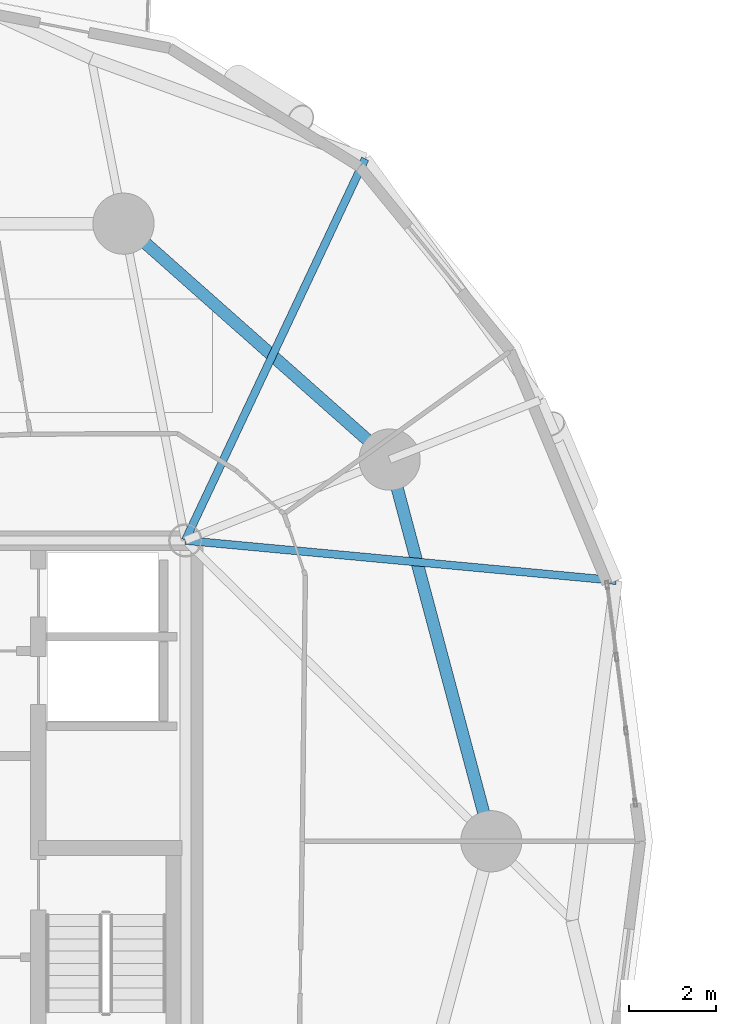
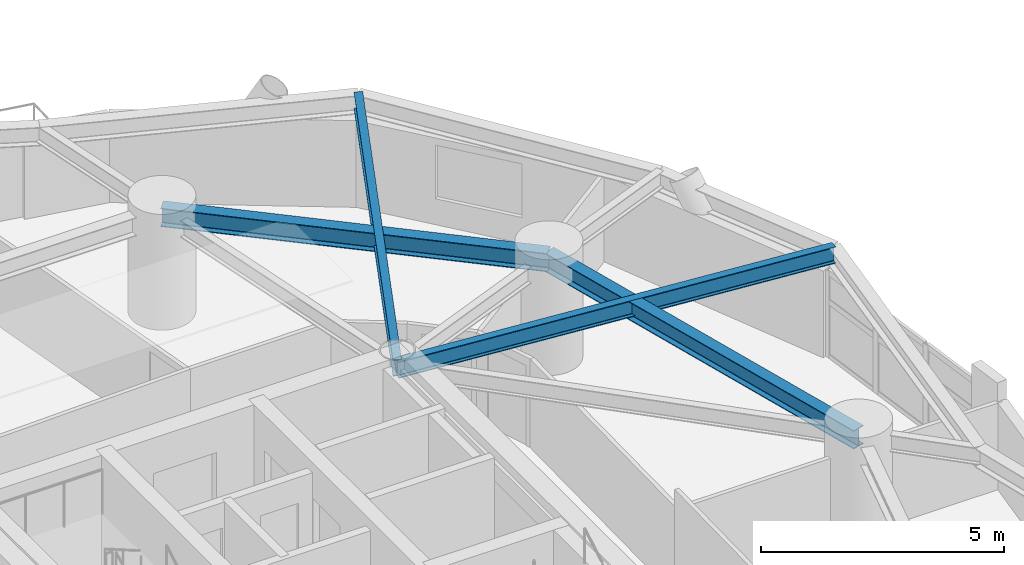
# One storey, part 3 of 17: 4 beams.
"""IFC4 building model written with IfcOpenShell, lengths in metres."""

import ifcopenshell
import ifcopenshell.guid

model = None  # the IFC model being written
_history = None  # IfcOwnerHistory: only IFC2X3 demands one
_inside = {}  # id of a spatial element -> (the spatial element, [elements in it])
_under = {}  # id of a project, library or spatial element -> (it, [spatial elements below it])
_declared = {}  # id of a project -> (the project, [libraries it declares])
_typed = {}  # id of a type object -> (the type object, [elements of that type])
_made_of = {}  # id of a material, layer set ... -> (it, [elements and type objects made of it])


def new_model(schema):
    """Start an empty IFC model of exactly this schema.

    Asked for "IFC4X3", IfcOpenShell would pick the latest addendum, in which some entities
    have other attributes; the version numbers below select the first issue.
    IFC2X3 requires an IfcOwnerHistory on every rooted entity: one is made here for all.
    """
    global model, _history
    if schema == "IFC4X3":
        model = ifcopenshell.file(schema_version=(4, 3, 0, 0))
    else:
        model = ifcopenshell.file(schema=schema)
    _inside.clear()
    _under.clear()
    _declared.clear()
    _typed.clear()
    _made_of.clear()
    _history = None
    if model.schema == "IFC2X3":
        org = make("IfcOrganization", Name="unknown")
        user = make(
            "IfcPersonAndOrganization",
            ThePerson=make("IfcPerson", FamilyName="unknown"),
            TheOrganization=org,
        )
        app = make(
            "IfcApplication",
            ApplicationDeveloper=org,
            Version="unknown",
            ApplicationFullName="unknown",
            ApplicationIdentifier="unknown",
        )
        _history = make(
            "IfcOwnerHistory",
            OwningUser=user,
            OwningApplication=app,
            ChangeAction="ADDED",
            CreationDate=0,
        )
    return model


def make(cls, **values):
    """One entity of the class cls with the attributes given. An attribute that is None is left unset."""
    return model.create_entity(
        cls, **{name: value for name, value in values.items() if value is not None}
    )


def rooted(cls, **values):
    """An entity with a GlobalId (a new one), such as an element, a storey or a relation."""
    return make(cls, GlobalId=ifcopenshell.guid.new(), OwnerHistory=_history, **values)


def si_unit(unit_type, name, prefix=None):
    """IfcSIUnit, for example si_unit("LENGTHUNIT", "METRE", prefix="MILLI")."""
    return make("IfcSIUnit", UnitType=unit_type, Prefix=prefix, Name=name)


def assignment(units):
    """IfcUnitAssignment: the units of a project."""
    return None if units is None else make("IfcUnitAssignment", Units=units)


def point(xyz):
    """IfcCartesianPoint."""
    return None if xyz is None else make("IfcCartesianPoint", Coordinates=xyz)


def direction(xyz):
    """IfcDirection."""
    return None if xyz is None else make("IfcDirection", DirectionRatios=xyz)


def frame(location, z_axis=None, x_axis=None):
    """IfcAxis2Placement3D, a coordinate frame: its origin and axes. An axis left out is left unset."""
    return make(
        "IfcAxis2Placement3D",
        Location=point(location),
        Axis=direction(z_axis),
        RefDirection=direction(x_axis),
    )


def frame_2d(location, x_axis=None):
    """IfcAxis2Placement2D, a coordinate frame in the plane: its origin and x axis."""
    return make(
        "IfcAxis2Placement2D", Location=point(location), RefDirection=direction(x_axis)
    )


def origin():
    """The frame at (0, 0, 0) with its axes left unset."""
    return frame((0.0, 0.0, 0.0))


def origin_2d():
    """The frame at (0, 0) in the plane with its x axis left unset."""
    return frame_2d((0.0, 0.0))


def place(relative_to, where):
    """IfcLocalPlacement: puts the frame where relative to a parent placement (None: the world)."""
    return make(
        "IfcLocalPlacement", PlacementRelTo=relative_to, RelativePlacement=where
    )


def context(
    kind, dimensions, precision=None, world=None, true_north=None, identifier=None
):
    """IfcGeometricRepresentationContext, for example the 3D "Model" context."""
    return make(
        "IfcGeometricRepresentationContext",
        ContextIdentifier=identifier,
        ContextType=kind,
        CoordinateSpaceDimension=dimensions,
        Precision=precision,
        WorldCoordinateSystem=world,
        TrueNorth=true_north,
    )


def subcontext(parent, identifier, kind, view, scale=None):
    """IfcGeometricRepresentationSubContext, for example "Body" below "Model"."""
    return make(
        "IfcGeometricRepresentationSubContext",
        ContextIdentifier=identifier,
        ContextType=kind,
        ParentContext=parent,
        TargetScale=scale,
        TargetView=view,
    )


def project(units=None, contexts=None):
    """IfcProject with its units and contexts."""
    return rooted(
        "IfcProject",
        Name="project",
        RepresentationContexts=contexts,
        UnitsInContext=assignment(units),
    )


def spatial(cls, under=None, at=None, **own):
    """A site, building, storey or space (cls), placed at a placement, below another one or the project."""
    s = rooted(cls, ObjectPlacement=at, **own)
    if under is not None:
        _under.setdefault(under.id(), (under, []))[1].append(s)
    return s


def profile(cls, at=None, kind="AREA", **sizes):
    """A parametric profile (cls). Its sizes go by their IFC names, for example OverallWidth=200.0."""
    return make(cls, ProfileType=kind, Position=at, **sizes)


def i_section(**sizes):
    """IfcIShapeProfileDef."""
    return profile("IfcIShapeProfileDef", **sizes)


def extrude(swept, where, along, depth):
    """IfcExtrudedAreaSolid: the profile swept, set in the frame where, extruded along a direction by depth."""
    return make(
        "IfcExtrudedAreaSolid",
        SweptArea=swept,
        Position=where,
        ExtrudedDirection=direction(along),
        Depth=depth,
    )


def shape(context_of_items, identifier, shape_type, items):
    """IfcShapeRepresentation: the items that make up one representation, for example the "Body"."""
    return make(
        "IfcShapeRepresentation",
        ContextOfItems=context_of_items,
        RepresentationIdentifier=identifier,
        RepresentationType=shape_type,
        Items=items,
    )


def material(Name=None, Category=None):
    """IfcMaterial."""
    return make("IfcMaterial", Name=Name, Category=Category)


def material_profile(
    of_material, cross_section, Name=None, Category=None, Priority=None
):
    """IfcMaterialProfile: a cross section and its material."""
    return make(
        "IfcMaterialProfile",
        Name=Name,
        Material=of_material,
        Profile=cross_section,
        Priority=Priority,
        Category=Category,
    )


def profile_set(profiles, Name=None, composite=None):
    """IfcMaterialProfileSet."""
    return make(
        "IfcMaterialProfileSet",
        Name=Name,
        MaterialProfiles=profiles,
        CompositeProfile=composite,
    )


def made_of(thing, what):
    """Note that an element or type object is made of a material, layer set ...; save() writes the relation."""
    if what is not None:
        _made_of.setdefault(what.id(), (what, []))[1].append(thing)
    return thing


def type_object(cls, material=None, **own):
    """A type object (cls), such as IfcWallType, which elements share."""
    return made_of(rooted(cls, **own), material)


def element(
    cls,
    number,
    at=None,
    inside=None,
    cuts=None,
    type_object=None,
    material=None,
    context=None,
    identifier="Body",
    shape_type=None,
    held_by="IfcProductDefinitionShape",
    body=None,
    shapes=None,
    **own,
):
    """One element of the class cls, such as IfcWall. Its Tag is "e" and its number.

    at: its placement. inside: the storey or other place that contains it. cuts: it is an
    opening in that element (IfcRelVoidsElement). A single representation is given by context,
    identifier, shape_type and body (its items); several are given by shapes. held_by: the class
    of the entity that holds the representations. save() writes the other relations.
    """
    e = rooted(cls, Tag="e%d" % number, ObjectPlacement=at, **own)
    if body is not None:
        shapes = [shape(context, identifier, shape_type, body)]
    if shapes is not None:
        e.Representation = make(held_by, Representations=shapes)
    if inside is not None:
        _inside.setdefault(inside.id(), (inside, []))[1].append(e)
    if cuts is not None:
        rooted(
            "IfcRelVoidsElement", RelatingBuildingElement=cuts, RelatedOpeningElement=e
        )
    if type_object is not None:
        _typed.setdefault(type_object.id(), (type_object, []))[1].append(e)
    return made_of(e, material)


def aggregate(whole, parts):
    """IfcRelAggregates: a whole, such as a stair, and the parts it consists of."""
    return rooted("IfcRelAggregates", RelatingObject=whole, RelatedObjects=parts)


def save(model, path):
    """Write the relations noted so far, then the file.

    IfcRelAggregates (storeys below a building ...), IfcRelContainedInSpatialStructure (elements
    in a storey), IfcRelDefinesByType, IfcRelAssociatesMaterial and IfcRelDeclares: one each for
    every whole, place, type object, material and project.
    """
    for whole, parts in _under.values():
        aggregate(whole, parts)
    for where, things in _inside.values():
        rooted(
            "IfcRelContainedInSpatialStructure",
            RelatedElements=things,
            RelatingStructure=where,
        )
    for kind, things in _typed.values():
        rooted("IfcRelDefinesByType", RelatedObjects=things, RelatingType=kind)
    for what, things in _made_of.values():
        rooted("IfcRelAssociatesMaterial", RelatedObjects=things, RelatingMaterial=what)
    for by, libraries in _declared.values():
        rooted("IfcRelDeclares", RelatingContext=by, RelatedDefinitions=libraries)
    model.write(path)


model = new_model("IFC4")

# Units and contexts
model_context = context("Model", 3, precision=1e-05, world=origin(), true_north=direction((0.0, 1.0)))
body_context = subcontext(model_context, "Body", "Model", "MODEL_VIEW")
ifc_project = project(units=[si_unit("LENGTHUNIT", "METRE"), si_unit("AREAUNIT", "SQUARE_METRE"), si_unit("VOLUMEUNIT", "CUBIC_METRE"), si_unit("PLANEANGLEUNIT", "RADIAN"), si_unit("MASSUNIT", "GRAM", prefix="KILO")], contexts=[model_context])

# Site, building, storey
site_placement = place(None, origin())
site = spatial("IfcSite", under=ifc_project, at=site_placement, CompositionType="ELEMENT")
building_placement = place(site_placement, origin())
building = spatial("IfcBuilding", under=site, at=building_placement, Name="Cununo Teusaquillo Station Towers", CompositionType="ELEMENT")
storey_placement = place(building_placement, frame((0.0, 0.0, 96.340087890625)))
storey = spatial("IfcBuildingStorey", under=building, at=storey_placement, Name="L30", CompositionType="ELEMENT", Elevation=96.340087890625)

# Beams
ifc_material_1 = material(Name="Steel ASTM A572 Grade 50", Category="steel")
ifc_material_profile_1 = material_profile(ifc_material_1, i_section(OverallWidth=0.180908203125, OverallDepth=0.4169921875, WebThickness=0.010986328125, FlangeThickness=0.018310546875, FilletRadius=0.012939453125, at=origin_2d()), Name="W16X57")
ifc_profile_set_1 = profile_set([ifc_material_profile_1], Name="Steel ASTM A572 Grade 50")
beam_type_1 = type_object("IfcBeamType", Name="BM-JOIST-1", PredefinedType="JOIST", material=ifc_profile_set_1)
beam_1_placement = place(storey_placement, frame((21.675048828125, 31.3798828125, 2.46142578125), z_axis=(0.995678537907, -0.09286683558, 0.0), x_axis=(0.09286683558, 0.995678537907, 0.0)))
element("IfcBeam", 1, at=beam_1_placement, inside=storey, type_object=beam_type_1, Name="L30 Tower A Radial Spandrel Joist V01", PredefinedType="JOIST", context=body_context, shape_type="SweptSolid", body=[
    extrude(i_section(OverallWidth=0.180908203125, OverallDepth=0.4169921875, WebThickness=0.010986328125, FlangeThickness=0.018310546875, FilletRadius=0.012939453125, at=origin_2d()), origin(), (0.0, 0.0, 1.0), 9.895263671875),
])
beam_2_placement = place(storey_placement, frame((21.675048828125, 31.3798828125, 2.46142578125), z_axis=(0.426319838016, 0.904572493344, 0.0), x_axis=(-0.904572493344, 0.426319838016, 0.0)))
element("IfcBeam", 2, at=beam_2_placement, inside=storey, type_object=beam_type_1, Name="L30 Tower A Radial Spandrel Joist V03", PredefinedType="JOIST", context=body_context, shape_type="SweptSolid", body=[
    extrude(i_section(OverallWidth=0.180908203125, OverallDepth=0.4169921875, WebThickness=0.010986328125, FlangeThickness=0.018310546875, FilletRadius=0.012939453125, at=origin_2d()), origin(), (0.0, 0.0, 1.0), 9.646728515625),
])
ifc_material_2 = material(Name="Steel ASTM A572 Grade 50", Category="steel")
ifc_material_profile_2 = material_profile(ifc_material_2, i_section(OverallWidth=0.280029296875, OverallDepth=0.462890625, WebThickness=0.0107421875, FlangeThickness=0.017333984375, FilletRadius=0.013916015625, at=origin_2d()), Name="W18X76")
ifc_profile_set_2 = profile_set([ifc_material_profile_2], Name="Steel ASTM A572 Grade 50")
beam_type_2 = type_object("IfcBeamType", Name="BM-RING-Z2", PredefinedType="SPANDREL", material=ifc_profile_set_2)
beam_3_placement = place(storey_placement, frame((28.672119140625, 24.5, 2.4384765625), z_axis=(-0.257363196347, 0.966314744359, 0.0), x_axis=(-0.966314744359, -0.257363196347, 0.0)))
element("IfcBeam", 3, at=beam_3_placement, inside=storey, type_object=beam_type_2, Name="L30 Tower A Structural Column Ring Girder 01", PredefinedType="SPANDREL", context=body_context, shape_type="SweptSolid", body=[
    extrude(i_section(OverallWidth=0.280029296875, OverallDepth=0.462890625, WebThickness=0.0107421875, FlangeThickness=0.017333984375, FilletRadius=0.013916015625, at=origin_2d()), origin(), (0.0, 0.0, 1.0), 9.03271484375),
])
beam_4_placement = place(storey_placement, frame((26.347412109375, 33.228515625, 2.4384765625), z_axis=(-0.74832120039, 0.66333655187, 0.0), x_axis=(-0.66333655187, -0.74832120039, 0.0)))
element("IfcBeam", 4, at=beam_4_placement, inside=storey, type_object=beam_type_2, Name="L30 Tower A Structural Column Ring Girder 02", PredefinedType="SPANDREL", context=body_context, shape_type="SweptSolid", body=[
    extrude(i_section(OverallWidth=0.280029296875, OverallDepth=0.462890625, WebThickness=0.0107421875, FlangeThickness=0.017333984375, FilletRadius=0.013916015625, at=origin_2d()), origin(), (0.0, 0.0, 1.0), 8.1328125),
])

save(model, "model.ifc")
